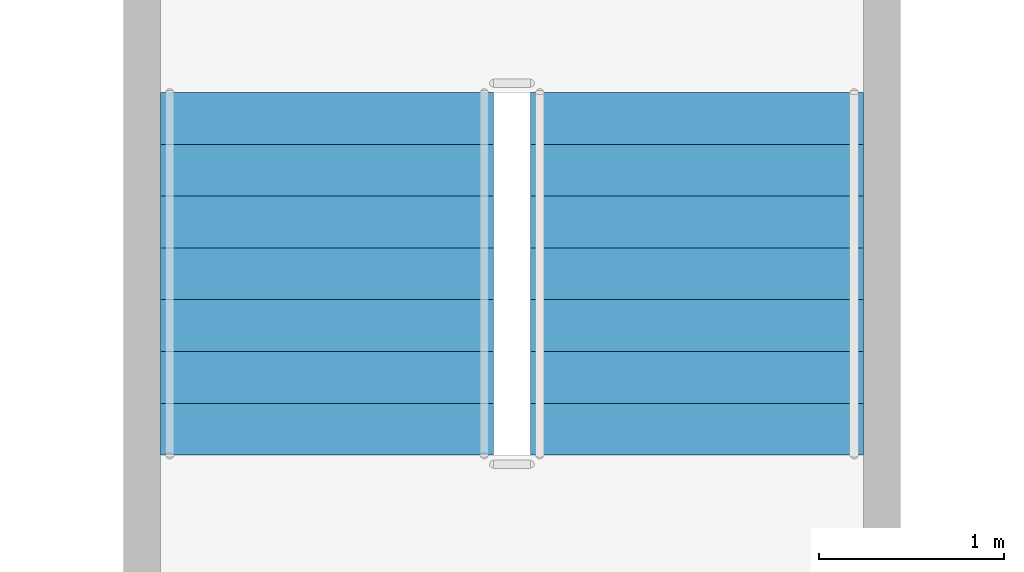
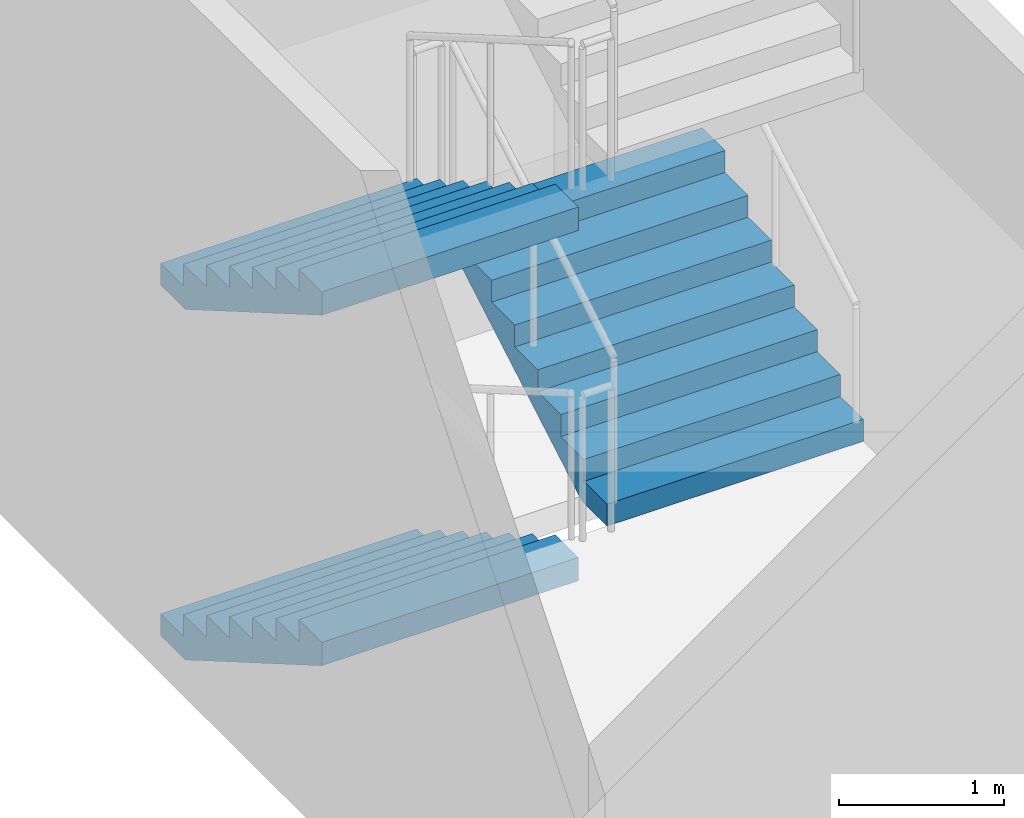
# One storey, part 69 of 93: 3 stair flights, 1 element without a shape of its own.
"""IFC4 building model written with IfcOpenShell, lengths in metres."""

from ifc_helpers import new_model, si_unit, direction, frame, origin, place, context, subcontext, project, spatial, polygons, material, type_object, element, aggregate, save


model = new_model("IFC4")

# Units and contexts
model_context = context("Model", 3, precision=1e-05, world=origin(), true_north=direction((0.0, 1.0)))
body_context = subcontext(model_context, "Body", "Model", "MODEL_VIEW")
ifc_project = project(units=[si_unit("LENGTHUNIT", "METRE"), si_unit("AREAUNIT", "SQUARE_METRE"), si_unit("VOLUMEUNIT", "CUBIC_METRE"), si_unit("PLANEANGLEUNIT", "RADIAN"), si_unit("MASSUNIT", "GRAM", prefix="KILO")], contexts=[model_context])

# Site, building, storey
site_placement = place(None, origin())
site = spatial("IfcSite", under=ifc_project, at=site_placement, CompositionType="ELEMENT")
building_placement = place(site_placement, origin())
building = spatial("IfcBuilding", under=site, at=building_placement, Name="Verrick Yard Athletic Hall", CompositionType="ELEMENT")
storey_placement = place(building_placement, frame((0.0, 0.0, 8.800048828125)))
storey = spatial("IfcBuildingStorey", under=building, at=storey_placement, Name="L02", CompositionType="ELEMENT", Elevation=8.800048828125)

# Stair, stair flights
ifc_material = material(Name="Concrete 35 MPa", Category="concrete")
stair_type = type_object("IfcStairType", Name="Stair ST4 1800 wide 32 risers", PredefinedType="HALF_TURN_STAIR", material=ifc_material)
stair_placement = place(storey_placement, origin())
stair = element("IfcStair", 1, at=stair_placement, inside=storey, type_object=stair_type, Name="South deck escape 1 stair L02", PredefinedType="HALF_TURN_STAIR")
stair_flight_type = type_object("IfcStairFlightType", Name="Stair flight SF4 1800 wide 8 risers", PredefinedType="STRAIGHT", material=ifc_material)
stair_flight_1_placement = place(storey_placement, frame((55.800048828125, 16.0, 0.0), z_axis=(0.0, 0.0, 1.0), x_axis=(0.0, -1.0, 0.0)))
stair_flight_1 = element("IfcStairFlight", 2, at=stair_flight_1_placement, type_object=stair_flight_type, Name="ST4 flight 1", NumberOfRisers=8, NumberOfTreads=7, PredefinedType="STRAIGHT", RiserHeight=0.1625, TreadLength=0.28, context=body_context, shape_type="Tessellation", body=[
    polygons([(0.2986404620805121, -0.89990234375, 0.0), (1.9600000000000002, -0.89990234375, 0.9641818746854172), (1.9600000000000002, -0.89990234375, 1.1375), (1.6800000000000002, -0.89990234375, 1.1375), (1.6800000000000002, -0.89990234375, 0.9750000000000001), (1.4000000000000001, -0.89990234375, 0.9750000000000001), (1.4000000000000001, -0.89990234375, 0.8125), (1.12, -0.89990234375, 0.8125), (1.12, -0.89990234375, 0.65), (0.8400000000000001, -0.89990234375, 0.65), (0.8400000000000001, -0.89990234375, 0.48750000000000004), (0.56, -0.89990234375, 0.48750000000000004), (0.56, -0.89990234375, 0.325), (0.28, -0.89990234375, 0.325), (0.28, -0.89990234375, 0.1625), (0.0, -0.89990234375, 0.1625), (0.0, -0.89990234375, 0.0), (0.2986404620805121, -0.179931640625, 0.0), (1.9600000000000002, -0.179931640625, 0.9641818746854172), (1.9600000000000002, -0.179931640625, 1.1375), (1.6800000000000002, -0.179931640625, 1.1375), (1.6800000000000002, -0.179931640625, 0.9750000000000001), (1.4000000000000001, -0.179931640625, 0.9750000000000001), (1.4000000000000001, -0.179931640625, 0.8125), (1.12, -0.179931640625, 0.8125), (1.12, -0.179931640625, 0.65), (0.8400000000000001, -0.179931640625, 0.65), (0.8400000000000001, -0.179931640625, 0.48750000000000004), (0.56, -0.179931640625, 0.48750000000000004), (0.56, -0.179931640625, 0.325), (0.28, -0.179931640625, 0.325), (0.28, -0.179931640625, 0.1625), (0.0, -0.179931640625, 0.1625), (0.0, -0.179931640625, 0.0), (0.2986404620805121, -0.1201171875, 0.0), (1.9600000000000002, -0.1201171875, 0.9641818746854172), (1.9600000000000002, -0.1201171875, 1.1375), (1.6800000000000002, -0.1201171875, 1.1375), (1.6800000000000002, -0.1201171875, 0.9750000000000001), (1.4000000000000001, -0.1201171875, 0.9750000000000001), (1.4000000000000001, -0.1201171875, 0.8125), (1.12, -0.1201171875, 0.8125), (1.12, -0.1201171875, 0.65), (0.8400000000000001, -0.1201171875, 0.65), (0.8400000000000001, -0.1201171875, 0.48750000000000004), (0.56, -0.1201171875, 0.48750000000000004), (0.56, -0.1201171875, 0.325), (0.28, -0.1201171875, 0.325), (0.28, -0.1201171875, 0.1625), (0.0, -0.1201171875, 0.1625), (0.0, -0.1201171875, 0.0), (0.2986404620805121, -0.06005859375, 0.0), (1.9600000000000002, -0.06005859375, 0.9641818746854172), (1.9600000000000002, -0.06005859375, 1.1375), (1.6800000000000002, -0.06005859375, 1.1375), (1.6800000000000002, -0.06005859375, 0.9750000000000001), (1.4000000000000001, -0.06005859375, 0.9750000000000001), (1.4000000000000001, -0.06005859375, 0.8125), (1.12, -0.06005859375, 0.8125), (1.12, -0.06005859375, 0.65), (0.8400000000000001, -0.06005859375, 0.65), (0.8400000000000001, -0.06005859375, 0.48750000000000004), (0.56, -0.06005859375, 0.48750000000000004), (0.56, -0.06005859375, 0.325), (0.28, -0.06005859375, 0.325), (0.28, -0.06005859375, 0.1625), (0.0, -0.06005859375, 0.1625), (0.0, -0.06005859375, 0.0), (0.2986404620805121, 0.0, 0.0), (1.9600000000000002, 0.0, 0.9641818746854172), (1.9600000000000002, 0.0, 1.1375), (1.6800000000000002, 0.0, 1.1375), (1.6800000000000002, 0.0, 0.9750000000000001), (1.4000000000000001, 0.0, 0.9750000000000001), (1.4000000000000001, 0.0, 0.8125), (1.12, 0.0, 0.8125), (1.12, 0.0, 0.65), (0.8400000000000001, 0.0, 0.65), (0.8400000000000001, 0.0, 0.48750000000000004), (0.56, 0.0, 0.48750000000000004), (0.56, 0.0, 0.325), (0.28, 0.0, 0.325), (0.28, 0.0, 0.1625), (0.0, 0.0, 0.1625), (0.0, 0.0, 0.0), (0.2986404620805121, 0.06005859375, 0.0), (1.9600000000000002, 0.06005859375, 0.9641818746854172), (1.9600000000000002, 0.06005859375, 1.1375), (1.6800000000000002, 0.06005859375, 1.1375), (1.6800000000000002, 0.06005859375, 0.9750000000000001), (1.4000000000000001, 0.06005859375, 0.9750000000000001), (1.4000000000000001, 0.06005859375, 0.8125), (1.12, 0.06005859375, 0.8125), (1.12, 0.06005859375, 0.65), (0.8400000000000001, 0.06005859375, 0.65), (0.8400000000000001, 0.06005859375, 0.48750000000000004), (0.56, 0.06005859375, 0.48750000000000004), (0.56, 0.06005859375, 0.325), (0.28, 0.06005859375, 0.325), (0.28, 0.06005859375, 0.1625), (0.0, 0.06005859375, 0.1625), (0.0, 0.06005859375, 0.0), (0.2986404620805121, 0.1201171875, 0.0), (1.9600000000000002, 0.1201171875, 0.9641818746854172), (1.9600000000000002, 0.1201171875, 1.1375), (1.6800000000000002, 0.1201171875, 1.1375), (1.6800000000000002, 0.1201171875, 0.9750000000000001), (1.4000000000000001, 0.1201171875, 0.9750000000000001), (1.4000000000000001, 0.1201171875, 0.8125), (1.12, 0.1201171875, 0.8125), (1.12, 0.1201171875, 0.65), (0.8400000000000001, 0.1201171875, 0.65), (0.8400000000000001, 0.1201171875, 0.48750000000000004), (0.56, 0.1201171875, 0.48750000000000004), (0.56, 0.1201171875, 0.325), (0.28, 0.1201171875, 0.325), (0.28, 0.1201171875, 0.1625), (0.0, 0.1201171875, 0.1625), (0.0, 0.1201171875, 0.0), (0.2986404620805121, 0.179931640625, 0.0), (1.9600000000000002, 0.179931640625, 0.9641818746854172), (1.9600000000000002, 0.179931640625, 1.1375), (1.6800000000000002, 0.179931640625, 1.1375), (1.6800000000000002, 0.179931640625, 0.9750000000000001), (1.4000000000000001, 0.179931640625, 0.9750000000000001), (1.4000000000000001, 0.179931640625, 0.8125), (1.12, 0.179931640625, 0.8125), (1.12, 0.179931640625, 0.65), (0.8400000000000001, 0.179931640625, 0.65), (0.8400000000000001, 0.179931640625, 0.48750000000000004), (0.56, 0.179931640625, 0.48750000000000004), (0.56, 0.179931640625, 0.325), (0.28, 0.179931640625, 0.325), (0.28, 0.179931640625, 0.1625), (0.0, 0.179931640625, 0.1625), (0.0, 0.179931640625, 0.0), (0.2986404620805121, 0.89990234375, 0.0), (1.9600000000000002, 0.89990234375, 0.9641818746854172), (1.9600000000000002, 0.89990234375, 1.1375), (1.6800000000000002, 0.89990234375, 1.1375), (1.6800000000000002, 0.89990234375, 0.9750000000000001), (1.4000000000000001, 0.89990234375, 0.9750000000000001), (1.4000000000000001, 0.89990234375, 0.8125), (1.12, 0.89990234375, 0.8125), (1.12, 0.89990234375, 0.65), (0.8400000000000001, 0.89990234375, 0.65), (0.8400000000000001, 0.89990234375, 0.48750000000000004), (0.56, 0.89990234375, 0.48750000000000004), (0.56, 0.89990234375, 0.325), (0.28, 0.89990234375, 0.325), (0.28, 0.89990234375, 0.1625), (0.0, 0.89990234375, 0.1625), (0.0, 0.89990234375, 0.0)], [[[1, 2, 3, 4, 5, 6, 7, 8, 9, 10, 11, 12, 13, 14, 15, 16, 17]], [[153, 152, 151, 150, 149, 148, 147, 146, 145, 144, 143, 142, 141, 140, 139, 138, 137]], [[1, 18, 19, 2]], [[2, 19, 20, 3]], [[3, 20, 21, 4]], [[4, 21, 22, 5]], [[5, 22, 23, 6]], [[6, 23, 24, 7]], [[7, 24, 25, 8]], [[8, 25, 26, 9]], [[9, 26, 27, 10]], [[10, 27, 28, 11]], [[11, 28, 29, 12]], [[12, 29, 30, 13]], [[13, 30, 31, 14]], [[14, 31, 32, 15]], [[15, 32, 33, 16]], [[16, 33, 34, 17]], [[17, 34, 18, 1]], [[18, 35, 36, 19]], [[19, 36, 37, 20]], [[20, 37, 38, 21]], [[21, 38, 39, 22]], [[22, 39, 40, 23]], [[23, 40, 41, 24]], [[24, 41, 42, 25]], [[25, 42, 43, 26]], [[26, 43, 44, 27]], [[27, 44, 45, 28]], [[28, 45, 46, 29]], [[29, 46, 47, 30]], [[30, 47, 48, 31]], [[31, 48, 49, 32]], [[32, 49, 50, 33]], [[33, 50, 51, 34]], [[34, 51, 35, 18]], [[35, 52, 53, 36]], [[36, 53, 54, 37]], [[37, 54, 55, 38]], [[38, 55, 56, 39]], [[39, 56, 57, 40]], [[40, 57, 58, 41]], [[41, 58, 59, 42]], [[42, 59, 60, 43]], [[43, 60, 61, 44]], [[44, 61, 62, 45]], [[45, 62, 63, 46]], [[46, 63, 64, 47]], [[47, 64, 65, 48]], [[48, 65, 66, 49]], [[49, 66, 67, 50]], [[50, 67, 68, 51]], [[51, 68, 52, 35]], [[52, 69, 70, 53]], [[53, 70, 71, 54]], [[54, 71, 72, 55]], [[55, 72, 73, 56]], [[56, 73, 74, 57]], [[57, 74, 75, 58]], [[58, 75, 76, 59]], [[59, 76, 77, 60]], [[60, 77, 78, 61]], [[61, 78, 79, 62]], [[62, 79, 80, 63]], [[63, 80, 81, 64]], [[64, 81, 82, 65]], [[65, 82, 83, 66]], [[66, 83, 84, 67]], [[67, 84, 85, 68]], [[68, 85, 69, 52]], [[69, 86, 87, 70]], [[70, 87, 88, 71]], [[71, 88, 89, 72]], [[72, 89, 90, 73]], [[73, 90, 91, 74]], [[74, 91, 92, 75]], [[75, 92, 93, 76]], [[76, 93, 94, 77]], [[77, 94, 95, 78]], [[78, 95, 96, 79]], [[79, 96, 97, 80]], [[80, 97, 98, 81]], [[81, 98, 99, 82]], [[82, 99, 100, 83]], [[83, 100, 101, 84]], [[84, 101, 102, 85]], [[85, 102, 86, 69]], [[86, 103, 104, 87]], [[87, 104, 105, 88]], [[88, 105, 106, 89]], [[89, 106, 107, 90]], [[90, 107, 108, 91]], [[91, 108, 109, 92]], [[92, 109, 110, 93]], [[93, 110, 111, 94]], [[94, 111, 112, 95]], [[95, 112, 113, 96]], [[96, 113, 114, 97]], [[97, 114, 115, 98]], [[98, 115, 116, 99]], [[99, 116, 117, 100]], [[100, 117, 118, 101]], [[101, 118, 119, 102]], [[102, 119, 103, 86]], [[103, 120, 121, 104]], [[104, 121, 122, 105]], [[105, 122, 123, 106]], [[106, 123, 124, 107]], [[107, 124, 125, 108]], [[108, 125, 126, 109]], [[109, 126, 127, 110]], [[110, 127, 128, 111]], [[111, 128, 129, 112]], [[112, 129, 130, 113]], [[113, 130, 131, 114]], [[114, 131, 132, 115]], [[115, 132, 133, 116]], [[116, 133, 134, 117]], [[117, 134, 135, 118]], [[118, 135, 136, 119]], [[119, 136, 120, 103]], [[120, 137, 138, 121]], [[121, 138, 139, 122]], [[122, 139, 140, 123]], [[123, 140, 141, 124]], [[124, 141, 142, 125]], [[125, 142, 143, 126]], [[126, 143, 144, 127]], [[127, 144, 145, 128]], [[128, 145, 146, 129]], [[129, 146, 147, 130]], [[130, 147, 148, 131]], [[131, 148, 149, 132]], [[132, 149, 150, 133]], [[133, 150, 151, 134]], [[134, 151, 152, 135]], [[135, 152, 153, 136]], [[136, 153, 137, 120]]], closed=True),
])
stair_flight_2_placement = place(storey_placement, frame((57.800048828125, 14.0400390625, 1.300048828125), z_axis=(0.0, 0.0, 1.0), x_axis=(0.0, 1.0, 0.0)))
stair_flight_2 = element("IfcStairFlight", 3, at=stair_flight_2_placement, type_object=stair_flight_type, Name="ST4 flight 2", NumberOfRisers=8, NumberOfTreads=7, PredefinedType="STRAIGHT", RiserHeight=0.1625, TreadLength=0.28, context=body_context, shape_type="Tessellation", body=[
    polygons([(0.2986404620805121, -0.89990234375, 0.0), (1.9600000000000002, -0.89990234375, 0.9641818746854172), (1.9600000000000002, -0.89990234375, 1.1375), (1.6800000000000002, -0.89990234375, 1.1375), (1.6800000000000002, -0.89990234375, 0.9750000000000001), (1.4000000000000001, -0.89990234375, 0.9750000000000001), (1.4000000000000001, -0.89990234375, 0.8125), (1.12, -0.89990234375, 0.8125), (1.12, -0.89990234375, 0.65), (0.8400000000000001, -0.89990234375, 0.65), (0.8400000000000001, -0.89990234375, 0.48750000000000004), (0.56, -0.89990234375, 0.48750000000000004), (0.56, -0.89990234375, 0.325), (0.28, -0.89990234375, 0.325), (0.28, -0.89990234375, 0.1625), (0.0, -0.89990234375, 0.1625), (0.0, -0.89990234375, 0.0), (0.2986404620805121, -0.179931640625, 0.0), (1.9600000000000002, -0.179931640625, 0.9641818746854172), (1.9600000000000002, -0.179931640625, 1.1375), (1.6800000000000002, -0.179931640625, 1.1375), (1.6800000000000002, -0.179931640625, 0.9750000000000001), (1.4000000000000001, -0.179931640625, 0.9750000000000001), (1.4000000000000001, -0.179931640625, 0.8125), (1.12, -0.179931640625, 0.8125), (1.12, -0.179931640625, 0.65), (0.8400000000000001, -0.179931640625, 0.65), (0.8400000000000001, -0.179931640625, 0.48750000000000004), (0.56, -0.179931640625, 0.48750000000000004), (0.56, -0.179931640625, 0.325), (0.28, -0.179931640625, 0.325), (0.28, -0.179931640625, 0.1625), (0.0, -0.179931640625, 0.1625), (0.0, -0.179931640625, 0.0), (0.2986404620805121, -0.1201171875, 0.0), (1.9600000000000002, -0.1201171875, 0.9641818746854172), (1.9600000000000002, -0.1201171875, 1.1375), (1.6800000000000002, -0.1201171875, 1.1375), (1.6800000000000002, -0.1201171875, 0.9750000000000001), (1.4000000000000001, -0.1201171875, 0.9750000000000001), (1.4000000000000001, -0.1201171875, 0.8125), (1.12, -0.1201171875, 0.8125), (1.12, -0.1201171875, 0.65), (0.8400000000000001, -0.1201171875, 0.65), (0.8400000000000001, -0.1201171875, 0.48750000000000004), (0.56, -0.1201171875, 0.48750000000000004), (0.56, -0.1201171875, 0.325), (0.28, -0.1201171875, 0.325), (0.28, -0.1201171875, 0.1625), (0.0, -0.1201171875, 0.1625), (0.0, -0.1201171875, 0.0), (0.2986404620805121, -0.06005859375, 0.0), (1.9600000000000002, -0.06005859375, 0.9641818746854172), (1.9600000000000002, -0.06005859375, 1.1375), (1.6800000000000002, -0.06005859375, 1.1375), (1.6800000000000002, -0.06005859375, 0.9750000000000001), (1.4000000000000001, -0.06005859375, 0.9750000000000001), (1.4000000000000001, -0.06005859375, 0.8125), (1.12, -0.06005859375, 0.8125), (1.12, -0.06005859375, 0.65), (0.8400000000000001, -0.06005859375, 0.65), (0.8400000000000001, -0.06005859375, 0.48750000000000004), (0.56, -0.06005859375, 0.48750000000000004), (0.56, -0.06005859375, 0.325), (0.28, -0.06005859375, 0.325), (0.28, -0.06005859375, 0.1625), (0.0, -0.06005859375, 0.1625), (0.0, -0.06005859375, 0.0), (0.2986404620805121, 0.0, 0.0), (1.9600000000000002, 0.0, 0.9641818746854172), (1.9600000000000002, 0.0, 1.1375), (1.6800000000000002, 0.0, 1.1375), (1.6800000000000002, 0.0, 0.9750000000000001), (1.4000000000000001, 0.0, 0.9750000000000001), (1.4000000000000001, 0.0, 0.8125), (1.12, 0.0, 0.8125), (1.12, 0.0, 0.65), (0.8400000000000001, 0.0, 0.65), (0.8400000000000001, 0.0, 0.48750000000000004), (0.56, 0.0, 0.48750000000000004), (0.56, 0.0, 0.325), (0.28, 0.0, 0.325), (0.28, 0.0, 0.1625), (0.0, 0.0, 0.1625), (0.0, 0.0, 0.0), (0.2986404620805121, 0.06005859375, 0.0), (1.9600000000000002, 0.06005859375, 0.9641818746854172), (1.9600000000000002, 0.06005859375, 1.1375), (1.6800000000000002, 0.06005859375, 1.1375), (1.6800000000000002, 0.06005859375, 0.9750000000000001), (1.4000000000000001, 0.06005859375, 0.9750000000000001), (1.4000000000000001, 0.06005859375, 0.8125), (1.12, 0.06005859375, 0.8125), (1.12, 0.06005859375, 0.65), (0.8400000000000001, 0.06005859375, 0.65), (0.8400000000000001, 0.06005859375, 0.48750000000000004), (0.56, 0.06005859375, 0.48750000000000004), (0.56, 0.06005859375, 0.325), (0.28, 0.06005859375, 0.325), (0.28, 0.06005859375, 0.1625), (0.0, 0.06005859375, 0.1625), (0.0, 0.06005859375, 0.0), (0.2986404620805121, 0.1201171875, 0.0), (1.9600000000000002, 0.1201171875, 0.9641818746854172), (1.9600000000000002, 0.1201171875, 1.1375), (1.6800000000000002, 0.1201171875, 1.1375), (1.6800000000000002, 0.1201171875, 0.9750000000000001), (1.4000000000000001, 0.1201171875, 0.9750000000000001), (1.4000000000000001, 0.1201171875, 0.8125), (1.12, 0.1201171875, 0.8125), (1.12, 0.1201171875, 0.65), (0.8400000000000001, 0.1201171875, 0.65), (0.8400000000000001, 0.1201171875, 0.48750000000000004), (0.56, 0.1201171875, 0.48750000000000004), (0.56, 0.1201171875, 0.325), (0.28, 0.1201171875, 0.325), (0.28, 0.1201171875, 0.1625), (0.0, 0.1201171875, 0.1625), (0.0, 0.1201171875, 0.0), (0.2986404620805121, 0.179931640625, 0.0), (1.9600000000000002, 0.179931640625, 0.9641818746854172), (1.9600000000000002, 0.179931640625, 1.1375), (1.6800000000000002, 0.179931640625, 1.1375), (1.6800000000000002, 0.179931640625, 0.9750000000000001), (1.4000000000000001, 0.179931640625, 0.9750000000000001), (1.4000000000000001, 0.179931640625, 0.8125), (1.12, 0.179931640625, 0.8125), (1.12, 0.179931640625, 0.65), (0.8400000000000001, 0.179931640625, 0.65), (0.8400000000000001, 0.179931640625, 0.48750000000000004), (0.56, 0.179931640625, 0.48750000000000004), (0.56, 0.179931640625, 0.325), (0.28, 0.179931640625, 0.325), (0.28, 0.179931640625, 0.1625), (0.0, 0.179931640625, 0.1625), (0.0, 0.179931640625, 0.0), (0.2986404620805121, 0.89990234375, 0.0), (1.9600000000000002, 0.89990234375, 0.9641818746854172), (1.9600000000000002, 0.89990234375, 1.1375), (1.6800000000000002, 0.89990234375, 1.1375), (1.6800000000000002, 0.89990234375, 0.9750000000000001), (1.4000000000000001, 0.89990234375, 0.9750000000000001), (1.4000000000000001, 0.89990234375, 0.8125), (1.12, 0.89990234375, 0.8125), (1.12, 0.89990234375, 0.65), (0.8400000000000001, 0.89990234375, 0.65), (0.8400000000000001, 0.89990234375, 0.48750000000000004), (0.56, 0.89990234375, 0.48750000000000004), (0.56, 0.89990234375, 0.325), (0.28, 0.89990234375, 0.325), (0.28, 0.89990234375, 0.1625), (0.0, 0.89990234375, 0.1625), (0.0, 0.89990234375, 0.0)], [[[1, 2, 3, 4, 5, 6, 7, 8, 9, 10, 11, 12, 13, 14, 15, 16, 17]], [[153, 152, 151, 150, 149, 148, 147, 146, 145, 144, 143, 142, 141, 140, 139, 138, 137]], [[1, 18, 19, 2]], [[2, 19, 20, 3]], [[3, 20, 21, 4]], [[4, 21, 22, 5]], [[5, 22, 23, 6]], [[6, 23, 24, 7]], [[7, 24, 25, 8]], [[8, 25, 26, 9]], [[9, 26, 27, 10]], [[10, 27, 28, 11]], [[11, 28, 29, 12]], [[12, 29, 30, 13]], [[13, 30, 31, 14]], [[14, 31, 32, 15]], [[15, 32, 33, 16]], [[16, 33, 34, 17]], [[17, 34, 18, 1]], [[18, 35, 36, 19]], [[19, 36, 37, 20]], [[20, 37, 38, 21]], [[21, 38, 39, 22]], [[22, 39, 40, 23]], [[23, 40, 41, 24]], [[24, 41, 42, 25]], [[25, 42, 43, 26]], [[26, 43, 44, 27]], [[27, 44, 45, 28]], [[28, 45, 46, 29]], [[29, 46, 47, 30]], [[30, 47, 48, 31]], [[31, 48, 49, 32]], [[32, 49, 50, 33]], [[33, 50, 51, 34]], [[34, 51, 35, 18]], [[35, 52, 53, 36]], [[36, 53, 54, 37]], [[37, 54, 55, 38]], [[38, 55, 56, 39]], [[39, 56, 57, 40]], [[40, 57, 58, 41]], [[41, 58, 59, 42]], [[42, 59, 60, 43]], [[43, 60, 61, 44]], [[44, 61, 62, 45]], [[45, 62, 63, 46]], [[46, 63, 64, 47]], [[47, 64, 65, 48]], [[48, 65, 66, 49]], [[49, 66, 67, 50]], [[50, 67, 68, 51]], [[51, 68, 52, 35]], [[52, 69, 70, 53]], [[53, 70, 71, 54]], [[54, 71, 72, 55]], [[55, 72, 73, 56]], [[56, 73, 74, 57]], [[57, 74, 75, 58]], [[58, 75, 76, 59]], [[59, 76, 77, 60]], [[60, 77, 78, 61]], [[61, 78, 79, 62]], [[62, 79, 80, 63]], [[63, 80, 81, 64]], [[64, 81, 82, 65]], [[65, 82, 83, 66]], [[66, 83, 84, 67]], [[67, 84, 85, 68]], [[68, 85, 69, 52]], [[69, 86, 87, 70]], [[70, 87, 88, 71]], [[71, 88, 89, 72]], [[72, 89, 90, 73]], [[73, 90, 91, 74]], [[74, 91, 92, 75]], [[75, 92, 93, 76]], [[76, 93, 94, 77]], [[77, 94, 95, 78]], [[78, 95, 96, 79]], [[79, 96, 97, 80]], [[80, 97, 98, 81]], [[81, 98, 99, 82]], [[82, 99, 100, 83]], [[83, 100, 101, 84]], [[84, 101, 102, 85]], [[85, 102, 86, 69]], [[86, 103, 104, 87]], [[87, 104, 105, 88]], [[88, 105, 106, 89]], [[89, 106, 107, 90]], [[90, 107, 108, 91]], [[91, 108, 109, 92]], [[92, 109, 110, 93]], [[93, 110, 111, 94]], [[94, 111, 112, 95]], [[95, 112, 113, 96]], [[96, 113, 114, 97]], [[97, 114, 115, 98]], [[98, 115, 116, 99]], [[99, 116, 117, 100]], [[100, 117, 118, 101]], [[101, 118, 119, 102]], [[102, 119, 103, 86]], [[103, 120, 121, 104]], [[104, 121, 122, 105]], [[105, 122, 123, 106]], [[106, 123, 124, 107]], [[107, 124, 125, 108]], [[108, 125, 126, 109]], [[109, 126, 127, 110]], [[110, 127, 128, 111]], [[111, 128, 129, 112]], [[112, 129, 130, 113]], [[113, 130, 131, 114]], [[114, 131, 132, 115]], [[115, 132, 133, 116]], [[116, 133, 134, 117]], [[117, 134, 135, 118]], [[118, 135, 136, 119]], [[119, 136, 120, 103]], [[120, 137, 138, 121]], [[121, 138, 139, 122]], [[122, 139, 140, 123]], [[123, 140, 141, 124]], [[124, 141, 142, 125]], [[125, 142, 143, 126]], [[126, 143, 144, 127]], [[127, 144, 145, 128]], [[128, 145, 146, 129]], [[129, 146, 147, 130]], [[130, 147, 148, 131]], [[131, 148, 149, 132]], [[132, 149, 150, 133]], [[133, 150, 151, 134]], [[134, 151, 152, 135]], [[135, 152, 153, 136]], [[136, 153, 137, 120]]], closed=True),
])
stair_flight_3_placement = place(storey_placement, frame((55.800048828125, 16.0, 2.599853515625), z_axis=(0.0, 0.0, 1.0), x_axis=(0.0, -1.0, 0.0)))
stair_flight_3 = element("IfcStairFlight", 4, at=stair_flight_3_placement, type_object=stair_flight_type, Name="ST4 flight 3", NumberOfRisers=8, NumberOfTreads=7, PredefinedType="STRAIGHT", RiserHeight=0.1625, TreadLength=0.28, context=body_context, shape_type="Tessellation", body=[
    polygons([(0.2986404620805121, -0.89990234375, 0.0), (1.9600000000000002, -0.89990234375, 0.9641818746854172), (1.9600000000000002, -0.89990234375, 1.1375), (1.6800000000000002, -0.89990234375, 1.1375), (1.6800000000000002, -0.89990234375, 0.9750000000000001), (1.4000000000000001, -0.89990234375, 0.9750000000000001), (1.4000000000000001, -0.89990234375, 0.8125), (1.12, -0.89990234375, 0.8125), (1.12, -0.89990234375, 0.65), (0.8400000000000001, -0.89990234375, 0.65), (0.8400000000000001, -0.89990234375, 0.48750000000000004), (0.56, -0.89990234375, 0.48750000000000004), (0.56, -0.89990234375, 0.325), (0.28, -0.89990234375, 0.325), (0.28, -0.89990234375, 0.1625), (0.0, -0.89990234375, 0.1625), (0.0, -0.89990234375, 0.0), (0.2986404620805121, -0.179931640625, 0.0), (1.9600000000000002, -0.179931640625, 0.9641818746854172), (1.9600000000000002, -0.179931640625, 1.1375), (1.6800000000000002, -0.179931640625, 1.1375), (1.6800000000000002, -0.179931640625, 0.9750000000000001), (1.4000000000000001, -0.179931640625, 0.9750000000000001), (1.4000000000000001, -0.179931640625, 0.8125), (1.12, -0.179931640625, 0.8125), (1.12, -0.179931640625, 0.65), (0.8400000000000001, -0.179931640625, 0.65), (0.8400000000000001, -0.179931640625, 0.48750000000000004), (0.56, -0.179931640625, 0.48750000000000004), (0.56, -0.179931640625, 0.325), (0.28, -0.179931640625, 0.325), (0.28, -0.179931640625, 0.1625), (0.0, -0.179931640625, 0.1625), (0.0, -0.179931640625, 0.0), (0.2986404620805121, -0.1201171875, 0.0), (1.9600000000000002, -0.1201171875, 0.9641818746854172), (1.9600000000000002, -0.1201171875, 1.1375), (1.6800000000000002, -0.1201171875, 1.1375), (1.6800000000000002, -0.1201171875, 0.9750000000000001), (1.4000000000000001, -0.1201171875, 0.9750000000000001), (1.4000000000000001, -0.1201171875, 0.8125), (1.12, -0.1201171875, 0.8125), (1.12, -0.1201171875, 0.65), (0.8400000000000001, -0.1201171875, 0.65), (0.8400000000000001, -0.1201171875, 0.48750000000000004), (0.56, -0.1201171875, 0.48750000000000004), (0.56, -0.1201171875, 0.325), (0.28, -0.1201171875, 0.325), (0.28, -0.1201171875, 0.1625), (0.0, -0.1201171875, 0.1625), (0.0, -0.1201171875, 0.0), (0.2986404620805121, -0.06005859375, 0.0), (1.9600000000000002, -0.06005859375, 0.9641818746854172), (1.9600000000000002, -0.06005859375, 1.1375), (1.6800000000000002, -0.06005859375, 1.1375), (1.6800000000000002, -0.06005859375, 0.9750000000000001), (1.4000000000000001, -0.06005859375, 0.9750000000000001), (1.4000000000000001, -0.06005859375, 0.8125), (1.12, -0.06005859375, 0.8125), (1.12, -0.06005859375, 0.65), (0.8400000000000001, -0.06005859375, 0.65), (0.8400000000000001, -0.06005859375, 0.48750000000000004), (0.56, -0.06005859375, 0.48750000000000004), (0.56, -0.06005859375, 0.325), (0.28, -0.06005859375, 0.325), (0.28, -0.06005859375, 0.1625), (0.0, -0.06005859375, 0.1625), (0.0, -0.06005859375, 0.0), (0.2986404620805121, 0.0, 0.0), (1.9600000000000002, 0.0, 0.9641818746854172), (1.9600000000000002, 0.0, 1.1375), (1.6800000000000002, 0.0, 1.1375), (1.6800000000000002, 0.0, 0.9750000000000001), (1.4000000000000001, 0.0, 0.9750000000000001), (1.4000000000000001, 0.0, 0.8125), (1.12, 0.0, 0.8125), (1.12, 0.0, 0.65), (0.8400000000000001, 0.0, 0.65), (0.8400000000000001, 0.0, 0.48750000000000004), (0.56, 0.0, 0.48750000000000004), (0.56, 0.0, 0.325), (0.28, 0.0, 0.325), (0.28, 0.0, 0.1625), (0.0, 0.0, 0.1625), (0.0, 0.0, 0.0), (0.2986404620805121, 0.06005859375, 0.0), (1.9600000000000002, 0.06005859375, 0.9641818746854172), (1.9600000000000002, 0.06005859375, 1.1375), (1.6800000000000002, 0.06005859375, 1.1375), (1.6800000000000002, 0.06005859375, 0.9750000000000001), (1.4000000000000001, 0.06005859375, 0.9750000000000001), (1.4000000000000001, 0.06005859375, 0.8125), (1.12, 0.06005859375, 0.8125), (1.12, 0.06005859375, 0.65), (0.8400000000000001, 0.06005859375, 0.65), (0.8400000000000001, 0.06005859375, 0.48750000000000004), (0.56, 0.06005859375, 0.48750000000000004), (0.56, 0.06005859375, 0.325), (0.28, 0.06005859375, 0.325), (0.28, 0.06005859375, 0.1625), (0.0, 0.06005859375, 0.1625), (0.0, 0.06005859375, 0.0), (0.2986404620805121, 0.1201171875, 0.0), (1.9600000000000002, 0.1201171875, 0.9641818746854172), (1.9600000000000002, 0.1201171875, 1.1375), (1.6800000000000002, 0.1201171875, 1.1375), (1.6800000000000002, 0.1201171875, 0.9750000000000001), (1.4000000000000001, 0.1201171875, 0.9750000000000001), (1.4000000000000001, 0.1201171875, 0.8125), (1.12, 0.1201171875, 0.8125), (1.12, 0.1201171875, 0.65), (0.8400000000000001, 0.1201171875, 0.65), (0.8400000000000001, 0.1201171875, 0.48750000000000004), (0.56, 0.1201171875, 0.48750000000000004), (0.56, 0.1201171875, 0.325), (0.28, 0.1201171875, 0.325), (0.28, 0.1201171875, 0.1625), (0.0, 0.1201171875, 0.1625), (0.0, 0.1201171875, 0.0), (0.2986404620805121, 0.179931640625, 0.0), (1.9600000000000002, 0.179931640625, 0.9641818746854172), (1.9600000000000002, 0.179931640625, 1.1375), (1.6800000000000002, 0.179931640625, 1.1375), (1.6800000000000002, 0.179931640625, 0.9750000000000001), (1.4000000000000001, 0.179931640625, 0.9750000000000001), (1.4000000000000001, 0.179931640625, 0.8125), (1.12, 0.179931640625, 0.8125), (1.12, 0.179931640625, 0.65), (0.8400000000000001, 0.179931640625, 0.65), (0.8400000000000001, 0.179931640625, 0.48750000000000004), (0.56, 0.179931640625, 0.48750000000000004), (0.56, 0.179931640625, 0.325), (0.28, 0.179931640625, 0.325), (0.28, 0.179931640625, 0.1625), (0.0, 0.179931640625, 0.1625), (0.0, 0.179931640625, 0.0), (0.2986404620805121, 0.89990234375, 0.0), (1.9600000000000002, 0.89990234375, 0.9641818746854172), (1.9600000000000002, 0.89990234375, 1.1375), (1.6800000000000002, 0.89990234375, 1.1375), (1.6800000000000002, 0.89990234375, 0.9750000000000001), (1.4000000000000001, 0.89990234375, 0.9750000000000001), (1.4000000000000001, 0.89990234375, 0.8125), (1.12, 0.89990234375, 0.8125), (1.12, 0.89990234375, 0.65), (0.8400000000000001, 0.89990234375, 0.65), (0.8400000000000001, 0.89990234375, 0.48750000000000004), (0.56, 0.89990234375, 0.48750000000000004), (0.56, 0.89990234375, 0.325), (0.28, 0.89990234375, 0.325), (0.28, 0.89990234375, 0.1625), (0.0, 0.89990234375, 0.1625), (0.0, 0.89990234375, 0.0)], [[[1, 2, 3, 4, 5, 6, 7, 8, 9, 10, 11, 12, 13, 14, 15, 16, 17]], [[153, 152, 151, 150, 149, 148, 147, 146, 145, 144, 143, 142, 141, 140, 139, 138, 137]], [[1, 18, 19, 2]], [[2, 19, 20, 3]], [[3, 20, 21, 4]], [[4, 21, 22, 5]], [[5, 22, 23, 6]], [[6, 23, 24, 7]], [[7, 24, 25, 8]], [[8, 25, 26, 9]], [[9, 26, 27, 10]], [[10, 27, 28, 11]], [[11, 28, 29, 12]], [[12, 29, 30, 13]], [[13, 30, 31, 14]], [[14, 31, 32, 15]], [[15, 32, 33, 16]], [[16, 33, 34, 17]], [[17, 34, 18, 1]], [[18, 35, 36, 19]], [[19, 36, 37, 20]], [[20, 37, 38, 21]], [[21, 38, 39, 22]], [[22, 39, 40, 23]], [[23, 40, 41, 24]], [[24, 41, 42, 25]], [[25, 42, 43, 26]], [[26, 43, 44, 27]], [[27, 44, 45, 28]], [[28, 45, 46, 29]], [[29, 46, 47, 30]], [[30, 47, 48, 31]], [[31, 48, 49, 32]], [[32, 49, 50, 33]], [[33, 50, 51, 34]], [[34, 51, 35, 18]], [[35, 52, 53, 36]], [[36, 53, 54, 37]], [[37, 54, 55, 38]], [[38, 55, 56, 39]], [[39, 56, 57, 40]], [[40, 57, 58, 41]], [[41, 58, 59, 42]], [[42, 59, 60, 43]], [[43, 60, 61, 44]], [[44, 61, 62, 45]], [[45, 62, 63, 46]], [[46, 63, 64, 47]], [[47, 64, 65, 48]], [[48, 65, 66, 49]], [[49, 66, 67, 50]], [[50, 67, 68, 51]], [[51, 68, 52, 35]], [[52, 69, 70, 53]], [[53, 70, 71, 54]], [[54, 71, 72, 55]], [[55, 72, 73, 56]], [[56, 73, 74, 57]], [[57, 74, 75, 58]], [[58, 75, 76, 59]], [[59, 76, 77, 60]], [[60, 77, 78, 61]], [[61, 78, 79, 62]], [[62, 79, 80, 63]], [[63, 80, 81, 64]], [[64, 81, 82, 65]], [[65, 82, 83, 66]], [[66, 83, 84, 67]], [[67, 84, 85, 68]], [[68, 85, 69, 52]], [[69, 86, 87, 70]], [[70, 87, 88, 71]], [[71, 88, 89, 72]], [[72, 89, 90, 73]], [[73, 90, 91, 74]], [[74, 91, 92, 75]], [[75, 92, 93, 76]], [[76, 93, 94, 77]], [[77, 94, 95, 78]], [[78, 95, 96, 79]], [[79, 96, 97, 80]], [[80, 97, 98, 81]], [[81, 98, 99, 82]], [[82, 99, 100, 83]], [[83, 100, 101, 84]], [[84, 101, 102, 85]], [[85, 102, 86, 69]], [[86, 103, 104, 87]], [[87, 104, 105, 88]], [[88, 105, 106, 89]], [[89, 106, 107, 90]], [[90, 107, 108, 91]], [[91, 108, 109, 92]], [[92, 109, 110, 93]], [[93, 110, 111, 94]], [[94, 111, 112, 95]], [[95, 112, 113, 96]], [[96, 113, 114, 97]], [[97, 114, 115, 98]], [[98, 115, 116, 99]], [[99, 116, 117, 100]], [[100, 117, 118, 101]], [[101, 118, 119, 102]], [[102, 119, 103, 86]], [[103, 120, 121, 104]], [[104, 121, 122, 105]], [[105, 122, 123, 106]], [[106, 123, 124, 107]], [[107, 124, 125, 108]], [[108, 125, 126, 109]], [[109, 126, 127, 110]], [[110, 127, 128, 111]], [[111, 128, 129, 112]], [[112, 129, 130, 113]], [[113, 130, 131, 114]], [[114, 131, 132, 115]], [[115, 132, 133, 116]], [[116, 133, 134, 117]], [[117, 134, 135, 118]], [[118, 135, 136, 119]], [[119, 136, 120, 103]], [[120, 137, 138, 121]], [[121, 138, 139, 122]], [[122, 139, 140, 123]], [[123, 140, 141, 124]], [[124, 141, 142, 125]], [[125, 142, 143, 126]], [[126, 143, 144, 127]], [[127, 144, 145, 128]], [[128, 145, 146, 129]], [[129, 146, 147, 130]], [[130, 147, 148, 131]], [[131, 148, 149, 132]], [[132, 149, 150, 133]], [[133, 150, 151, 134]], [[134, 151, 152, 135]], [[135, 152, 153, 136]], [[136, 153, 137, 120]]], closed=True),
])
aggregate(stair, [stair_flight_1, stair_flight_2, stair_flight_3])

save(model, "model.ifc")
